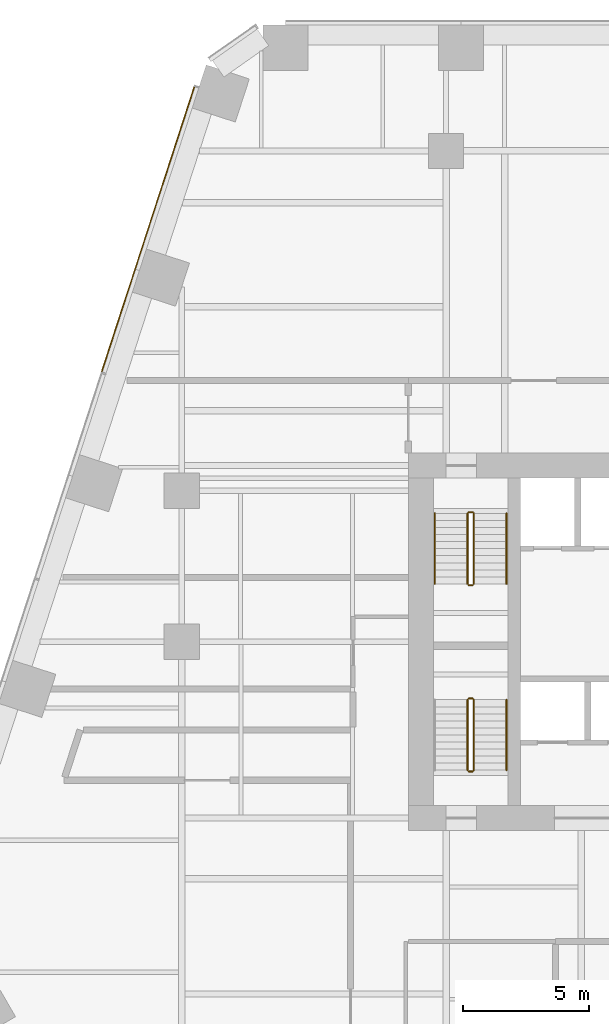
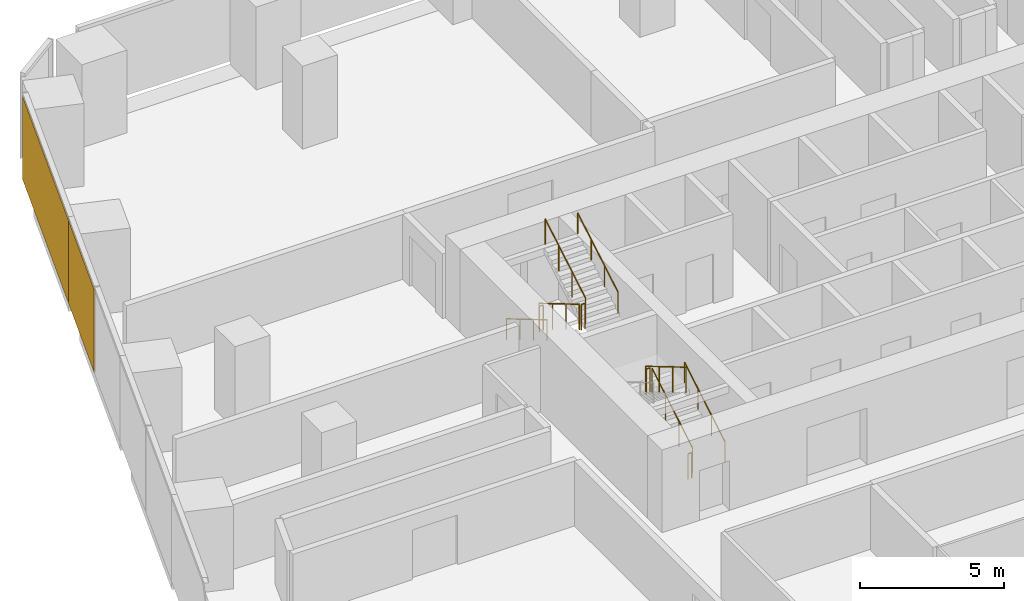
# One storey, part 19 of 21: 11 railings, 2 coverings, 1 element without a shape of its own.
"""IFC4 building model written with IfcOpenShell, lengths in metres."""

from ifc_helpers import new_model, si_unit, direction, frame, origin, origin_2d, place, context, subcontext, project, spatial, rectangle, circle, extrude, material, layer, layer_set, type_object, element, aggregate, save


model = new_model("IFC4")

# Units and contexts
model_context = context("Model", 3, precision=1e-05, world=origin(), true_north=direction((0.0, 1.0)))
body_context = subcontext(model_context, "Body", "Model", "MODEL_VIEW")
ifc_project = project(units=[si_unit("LENGTHUNIT", "METRE"), si_unit("AREAUNIT", "SQUARE_METRE"), si_unit("VOLUMEUNIT", "CUBIC_METRE"), si_unit("PLANEANGLEUNIT", "RADIAN"), si_unit("MASSUNIT", "GRAM", prefix="KILO")], contexts=[model_context])

# Site, building, storey
site_placement = place(None, origin())
site = spatial("IfcSite", under=ifc_project, at=site_placement, CompositionType="ELEMENT")
building_placement = place(site_placement, origin())
building = spatial("IfcBuilding", under=site, at=building_placement, Name="Isthmus Gate Tower", CompositionType="ELEMENT")
storey_placement = place(building_placement, frame((0.0, 0.0, 50.60009765625)))
storey = spatial("IfcBuildingStorey", under=building, at=storey_placement, Name="L10", CompositionType="ELEMENT", Elevation=50.60009765625)

# Curtain wall, coverings
ifc_material_1 = material(Name="Aluminium, pale champagne anodised", Category="aluminium")
ifc_layer_1 = layer(ifc_material_1, 0.199951171875)
ifc_layer_set_1 = layer_set([ifc_layer_1], Name="CW-1 UNITISED CURTAIN WALL 200 DEEP")
curtain_wall_type = type_object("IfcCurtainWallType", Name="CW-1 UNITISED CURTAIN WALL 200 DEEP", PredefinedType="NOTDEFINED", material=ifc_layer_set_1)
curtain_wall_placement = place(storey_placement, origin())
curtain_wall = element("IfcCurtainWall", 1, at=curtain_wall_placement, inside=storey, type_object=curtain_wall_type, Name="CW-1 NW L10", PredefinedType="NOTDEFINED")
ifc_material_2 = material(Name="Aluminium composite panel, pale champagne anodised", Category="aluminium")
ifc_layer_2 = layer(ifc_material_2, 0.0400390625)
ifc_layer_set_2 = layer_set([ifc_layer_2], Name="CW-1 PALE METAL PANEL 40")
covering_type = type_object("IfcCoveringType", Name="CW-1 PALE METAL PANEL 40", PredefinedType="CLADDING", material=ifc_layer_set_2)
covering_1_placement = place(storey_placement, frame((-24.67578125, 25.9296875, 0.0), z_axis=(0.0, 0.0, 1.0), x_axis=(-0.309016994375, -0.951056516295, 0.0)))
covering_1 = element("IfcCovering", 2, at=covering_1_placement, type_object=covering_type, Name="CW-1 pale metal panel", PredefinedType="CLADDING", context=body_context, shape_type="SweptSolid", body=[
    extrude(rectangle(XDim=7.62939453125, YDim=0.0400390625, at=origin_2d()), origin(), (0.0, 0.0, 1.0), 3.5),
])
covering_2_placement = place(storey_placement, frame((-26.51806640625, 20.25927734375, 0.0), z_axis=(0.0, 0.0, 1.0), x_axis=(-0.309016994375, -0.951056516295, 0.0)))
covering_2 = element("IfcCovering", 3, at=covering_2_placement, type_object=covering_type, Name="CW-1 pale metal panel", PredefinedType="CLADDING", context=body_context, shape_type="SweptSolid", body=[
    extrude(rectangle(XDim=4.294677734375, YDim=0.0400390625, at=origin_2d()), origin(), (0.0, 0.0, 1.0), 3.5),
])
aggregate(curtain_wall, [covering_1, covering_2])

# Railings
ifc_material_3 = material(Name="Stainless steel balustrade", Category="steel")
railing_type_1 = type_object("IfcRailingType", Name="STAIR GUARD 1100", PredefinedType="GUARDRAIL", material=ifc_material_3)
railing_1_placement = place(storey_placement, frame((-12.64990234375, 12.60009765625, 0.165771484375)))
element("IfcRailing", 4, at=railing_1_placement, inside=storey, type_object=railing_type_1, Name="L10 ST1 stair guard 1", PredefinedType="GUARDRAIL", context=body_context, shape_type="SweptSolid", body=[
    extrude(circle(Radius=0.02392578125, at=origin_2d()), frame((0.0, 0.0, 1.076171875), z_axis=(0.0, -0.860306154799, 0.50977771628), x_axis=(1.0, 0.0, 0.0)), (0.0, 0.0, 1.0), 3.254638671875),
    extrude(circle(Radius=0.02099609375, at=origin_2d()), origin(), (0.0, 0.0, 1.0), 1.052001953125),
    extrude(circle(Radius=0.02099609375, at=origin_2d()), frame((0.0, -0.933349609375, 0.552978515625)), (0.0, 0.0, 1.0), 1.052001953125),
    extrude(circle(Radius=0.02099609375, at=origin_2d()), frame((0.0, -1.86669921875, 1.106201171875)), (0.0, 0.0, 1.0), 1.052001953125),
    extrude(circle(Radius=0.02099609375, at=origin_2d()), frame((0.0, -2.800048828125, 1.6591796875)), (0.0, 0.0, 1.0), 1.052001953125),
])
railing_2_placement = place(storey_placement, frame((-12.60009765625, 9.75, 1.824951171875)))
element("IfcRailing", 5, at=railing_2_placement, inside=storey, type_object=railing_type_1, Name="L10 ST1 stair guard 2", PredefinedType="GUARDRAIL", context=body_context, shape_type="SweptSolid", body=[
    extrude(circle(Radius=0.02392578125, at=origin_2d()), frame((0.0, 0.0, 1.076171875), z_axis=(1.0, 0.0, 0.0), x_axis=(0.0, 1.0, 0.0)), (0.0, 0.0, 1.0), 0.150146484375),
    extrude(circle(Radius=0.02099609375, at=origin_2d()), origin(), (0.0, 0.0, 1.0), 1.052001953125),
    extrude(circle(Radius=0.02099609375, at=origin_2d()), frame((0.150146484375, 0.0, 0.0)), (0.0, 0.0, 1.0), 1.052001953125),
])
railing_3_placement = place(storey_placement, frame((-12.39990234375, 9.800048828125, 1.99072265625)))
element("IfcRailing", 6, at=railing_3_placement, inside=storey, type_object=railing_type_1, Name="L10 ST1 stair guard 3", PredefinedType="GUARDRAIL", context=body_context, shape_type="SweptSolid", body=[
    extrude(circle(Radius=0.02392578125, at=origin_2d()), frame((0.0, 0.0, 1.076171875), z_axis=(0.0, 0.860306154799, 0.50977771628), x_axis=(-1.0, 0.0, 0.0)), (0.0, 0.0, 1.0), 3.254638671875),
    extrude(circle(Radius=0.02099609375, at=origin_2d()), origin(), (0.0, 0.0, 1.0), 1.052001953125),
    extrude(circle(Radius=0.02099609375, at=origin_2d()), frame((0.0, 0.933349609375, 0.552978515625)), (0.0, 0.0, 1.0), 1.052001953125),
    extrude(circle(Radius=0.02099609375, at=origin_2d()), frame((0.0, 1.86669921875, 1.106201171875)), (0.0, 0.0, 1.0), 1.052001953125),
    extrude(circle(Radius=0.02099609375, at=origin_2d()), frame((0.0, 2.800048828125, 1.6591796875)), (0.0, 0.0, 1.0), 1.052001953125),
])
railing_4_placement = place(storey_placement, frame((-12.60009765625, 12.64990234375, 0.0)))
element("IfcRailing", 7, at=railing_4_placement, inside=storey, type_object=railing_type_1, Name="L10 ST1 stair guard 4", PredefinedType="GUARDRAIL", context=body_context, shape_type="SweptSolid", body=[
    extrude(circle(Radius=0.02392578125, at=origin_2d()), frame((0.0, 0.0, 1.076171875), z_axis=(1.0, 0.0, 0.0), x_axis=(0.0, 1.0, 0.0)), (0.0, 0.0, 1.0), 0.150146484375),
    extrude(circle(Radius=0.02099609375, at=origin_2d()), origin(), (0.0, 0.0, 1.0), 1.052001953125),
    extrude(circle(Radius=0.02099609375, at=origin_2d()), frame((0.150146484375, 0.0, 0.0)), (0.0, 0.0, 1.0), 1.052001953125),
])
railing_5_placement = place(storey_placement, frame((-12.39990234375, 2.39990234375, 0.165771484375)))
element("IfcRailing", 8, at=railing_5_placement, inside=storey, type_object=railing_type_1, Name="L10 ST7 stair guard 1", PredefinedType="GUARDRAIL", context=body_context, shape_type="SweptSolid", body=[
    extrude(circle(Radius=0.02392578125, at=origin_2d()), frame((0.0, 0.0, 1.076171875), z_axis=(0.0, 0.860306154799, 0.50977771628), x_axis=(-1.0, 0.0, 0.0)), (0.0, 0.0, 1.0), 3.254638671875),
    extrude(circle(Radius=0.02099609375, at=origin_2d()), origin(), (0.0, 0.0, 1.0), 1.052001953125),
    extrude(circle(Radius=0.02099609375, at=origin_2d()), frame((0.0, 0.933349609375, 0.552978515625)), (0.0, 0.0, 1.0), 1.052001953125),
    extrude(circle(Radius=0.02099609375, at=origin_2d()), frame((0.0, 1.86669921875, 1.106201171875)), (0.0, 0.0, 1.0), 1.052001953125),
    extrude(circle(Radius=0.02099609375, at=origin_2d()), frame((0.0, 2.800048828125, 1.6591796875)), (0.0, 0.0, 1.0), 1.052001953125),
])
railing_6_placement = place(storey_placement, frame((-12.449951171875, 5.25, 1.824951171875)))
element("IfcRailing", 9, at=railing_6_placement, inside=storey, type_object=railing_type_1, Name="L10 ST7 stair guard 2", PredefinedType="GUARDRAIL", context=body_context, shape_type="SweptSolid", body=[
    extrude(circle(Radius=0.02392578125, at=origin_2d()), frame((0.0, 0.0, 1.076171875), z_axis=(-1.0, 0.0, 0.0), x_axis=(0.0, -1.0, 0.0)), (0.0, 0.0, 1.0), 0.150146484375),
    extrude(circle(Radius=0.02099609375, at=origin_2d()), origin(), (0.0, 0.0, 1.0), 1.052001953125),
    extrude(circle(Radius=0.02099609375, at=origin_2d()), frame((-0.150146484375, 0.0, 0.0)), (0.0, 0.0, 1.0), 1.052001953125),
])
railing_7_placement = place(storey_placement, frame((-12.64990234375, 5.199951171875, 1.99072265625)))
element("IfcRailing", 10, at=railing_7_placement, inside=storey, type_object=railing_type_1, Name="L10 ST7 stair guard 3", PredefinedType="GUARDRAIL", context=body_context, shape_type="SweptSolid", body=[
    extrude(circle(Radius=0.02392578125, at=origin_2d()), frame((0.0, 0.0, 1.076171875), z_axis=(0.0, -0.860306154799, 0.50977771628), x_axis=(1.0, 0.0, 0.0)), (0.0, 0.0, 1.0), 3.254638671875),
    extrude(circle(Radius=0.02099609375, at=origin_2d()), origin(), (0.0, 0.0, 1.0), 1.052001953125),
    extrude(circle(Radius=0.02099609375, at=origin_2d()), frame((0.0, -0.933349609375, 0.552978515625)), (0.0, 0.0, 1.0), 1.052001953125),
    extrude(circle(Radius=0.02099609375, at=origin_2d()), frame((0.0, -1.86669921875, 1.106201171875)), (0.0, 0.0, 1.0), 1.052001953125),
    extrude(circle(Radius=0.02099609375, at=origin_2d()), frame((0.0, -2.800048828125, 1.6591796875)), (0.0, 0.0, 1.0), 1.052001953125),
])
railing_8_placement = place(storey_placement, frame((-12.449951171875, 2.35009765625, 0.0)))
element("IfcRailing", 11, at=railing_8_placement, inside=storey, type_object=railing_type_1, Name="L10 ST7 stair guard 4", PredefinedType="GUARDRAIL", context=body_context, shape_type="SweptSolid", body=[
    extrude(circle(Radius=0.02392578125, at=origin_2d()), frame((0.0, 0.0, 1.076171875), z_axis=(-1.0, 0.0, 0.0), x_axis=(0.0, -1.0, 0.0)), (0.0, 0.0, 1.0), 0.150146484375),
    extrude(circle(Radius=0.02099609375, at=origin_2d()), origin(), (0.0, 0.0, 1.0), 1.052001953125),
    extrude(circle(Radius=0.02099609375, at=origin_2d()), frame((-0.150146484375, 0.0, 0.0)), (0.0, 0.0, 1.0), 1.052001953125),
])
ifc_material_4 = material(Name="Stainless steel handrail", Category="steel")
railing_type_2 = type_object("IfcRailingType", Name="STAIR HANDRAIL 900", PredefinedType="HANDRAIL", material=ifc_material_4)
railing_9_placement = place(storey_placement, frame((-13.949951171875, 12.60009765625, 0.165771484375)))
element("IfcRailing", 12, at=railing_9_placement, inside=storey, type_object=railing_type_2, Name="L10 ST1 stair handrail 1", PredefinedType="HANDRAIL", context=body_context, shape_type="SweptSolid", body=[
    extrude(circle(Radius=0.02392578125, at=origin_2d()), frame((0.0, 0.0, 0.8759765625), z_axis=(0.0, -0.860306154799, 0.50977771628), x_axis=(1.0, 0.0, 0.0)), (0.0, 0.0, 1.0), 3.254638671875),
    extrude(circle(Radius=0.02099609375, at=origin_2d()), origin(), (0.0, 0.0, 1.0), 0.851806640625),
    extrude(circle(Radius=0.02099609375, at=origin_2d()), frame((0.0, -0.933349609375, 0.552978515625)), (0.0, 0.0, 1.0), 0.851806640625),
    extrude(circle(Radius=0.02099609375, at=origin_2d()), frame((0.0, -1.86669921875, 1.106201171875)), (0.0, 0.0, 1.0), 0.851806640625),
    extrude(circle(Radius=0.02099609375, at=origin_2d()), frame((0.0, -2.800048828125, 1.6591796875)), (0.0, 0.0, 1.0), 0.851806640625),
])
for number, where, name in (
    (13, (-11.10009765625, 9.800048828125, 1.99072265625), "L10 ST1 stair handrail 2"),
    (14, (-11.10009765625, 2.39990234375, 0.165771484375), "L10 ST7 stair handrail 1"),
):
    element("IfcRailing", number, at=place(storey_placement, frame(where)), inside=storey, type_object=railing_type_2, Name=name, PredefinedType="HANDRAIL", context=body_context, shape_type="SweptSolid", body=[
        extrude(circle(Radius=0.02392578125, at=origin_2d()), frame((0.0, 0.0, 0.8759765625), z_axis=(0.0, 0.860306154799, 0.50977771628), x_axis=(-1.0, 0.0, 0.0)), (0.0, 0.0, 1.0), 3.254638671875),
        extrude(circle(Radius=0.02099609375, at=origin_2d()), origin(), (0.0, 0.0, 1.0), 0.851806640625),
        extrude(circle(Radius=0.02099609375, at=origin_2d()), frame((0.0, 0.933349609375, 0.552978515625)), (0.0, 0.0, 1.0), 0.851806640625),
        extrude(circle(Radius=0.02099609375, at=origin_2d()), frame((0.0, 1.86669921875, 1.106201171875)), (0.0, 0.0, 1.0), 0.851806640625),
        extrude(circle(Radius=0.02099609375, at=origin_2d()), frame((0.0, 2.800048828125, 1.6591796875)), (0.0, 0.0, 1.0), 0.851806640625),
    ])

save(model, "model.ifc")
